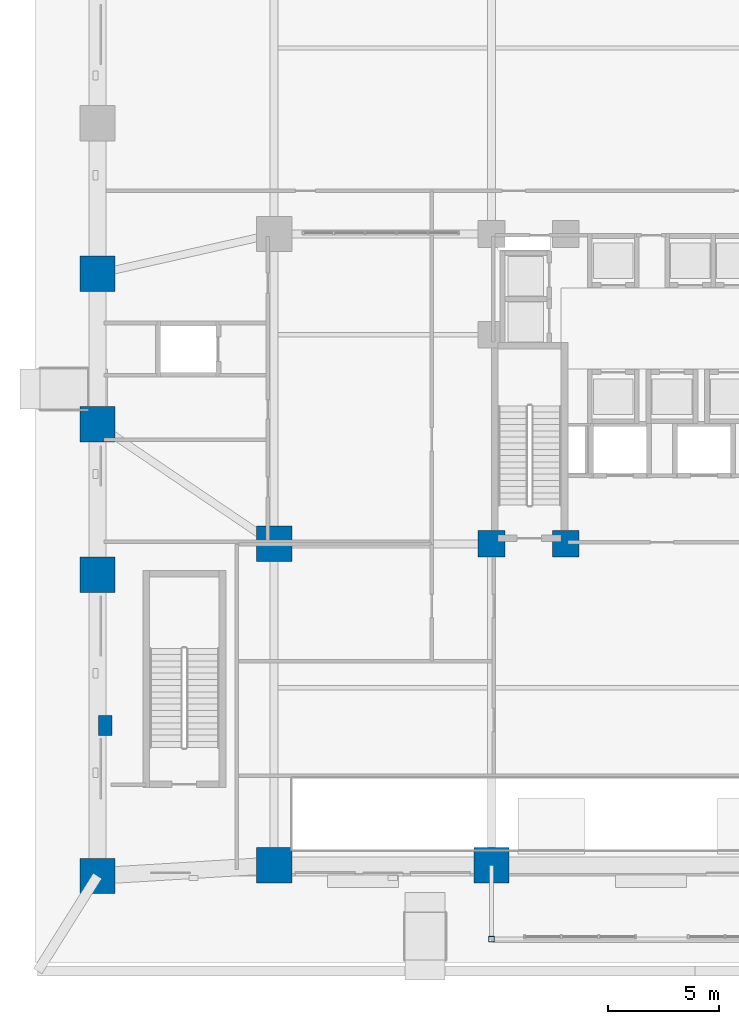
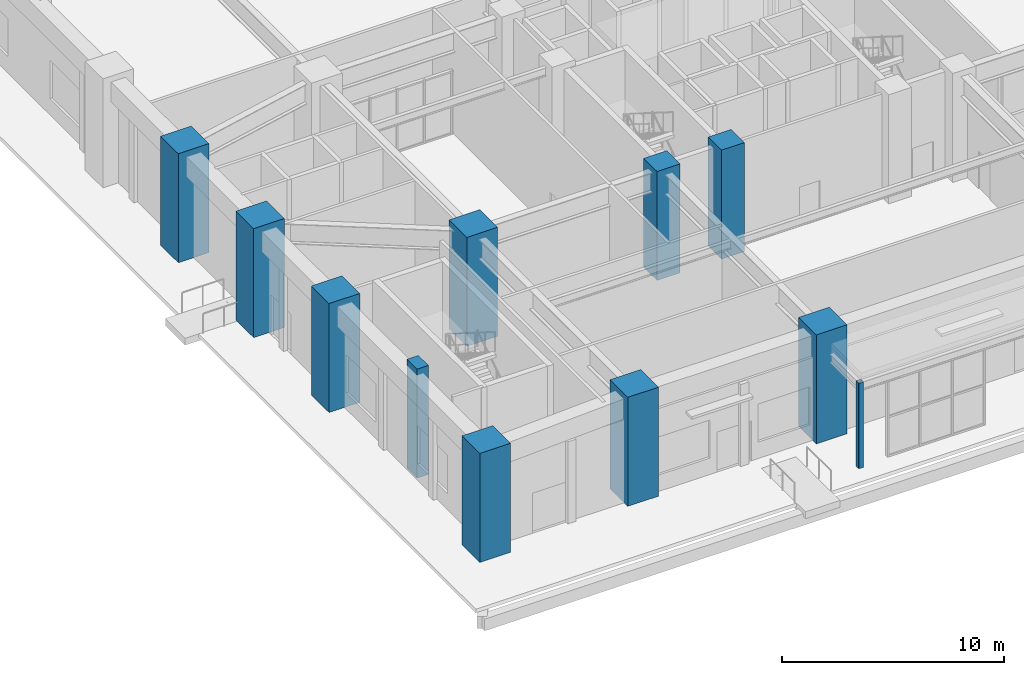
# One storey, part 1 of 24: 11 columns.
"""IFC4 building model written with IfcOpenShell, lengths in metres."""

from ifc_helpers import new_model, si_unit, derived_unit, direction, frame, origin, origin_2d, place, context, subcontext, project, spatial, rectangle, hollow_rectangle, extrude, material, material_profile, profile_set, type_object, element, save


model = new_model("IFC4")

# Units and contexts
model_context = context("Model", 3, precision=1e-05, world=origin(), true_north=direction((0.0, 1.0)))
body_context = subcontext(model_context, "Body", "Model", "MODEL_VIEW")
ifc_project = project(units=[si_unit("LENGTHUNIT", "METRE"), si_unit("AREAUNIT", "SQUARE_METRE"), si_unit("VOLUMEUNIT", "CUBIC_METRE"), si_unit("PLANEANGLEUNIT", "RADIAN"), si_unit("MASSUNIT", "GRAM", prefix="KILO"), derived_unit("THERMALTRANSMITTANCEUNIT", [(si_unit("MASSUNIT", "GRAM", prefix="KILO"), 1), (si_unit("TIMEUNIT", "SECOND"), -3), (si_unit("THERMODYNAMICTEMPERATUREUNIT", "KELVIN"), -1)])], contexts=[model_context])

# Site, building, storey
site_placement = place(None, origin())
site = spatial("IfcSite", under=ifc_project, at=site_placement, CompositionType="ELEMENT")
building_placement = place(site_placement, origin())
building = spatial("IfcBuilding", under=site, at=building_placement, Name="Korrvale Station Residences", CompositionType="ELEMENT")
storey_placement = place(building_placement, origin())
storey = spatial("IfcBuildingStorey", under=building, at=storey_placement, Name="L00", CompositionType="ELEMENT", Elevation=0.0)

# Columns
ifc_material_1 = material(Name="Steel S355", Category="steel")
ifc_material_profile_1 = material_profile(ifc_material_1, hollow_rectangle(XDim=0.25390625, YDim=0.25390625, WallThickness=0.0126953125, InnerFilletRadius=0.0126953125, OuterFilletRadius=0.025390625, at=origin_2d()), Name="HSS254x254x13")
ifc_profile_set_1 = profile_set([ifc_material_profile_1], Name="Steel S355")
column_type_1 = type_object("IfcColumnType", Name="COL-C-HSS254x254x13-S355", PredefinedType="COLUMN", material=ifc_profile_set_1)
column_1_placement = place(storey_placement, frame((17.800048828125, -2.85009765625, 0.0), z_axis=(0.0, 0.0, 1.0), x_axis=(1.0, 0.0, 0.0)))
element("IfcColumn", 1, at=column_1_placement, inside=storey, type_object=column_type_1, Name="L00 South Canopy Portal Post 1", PredefinedType="COLUMN", context=body_context, shape_type="SweptSolid", body=[
    extrude(hollow_rectangle(XDim=0.25390625, YDim=0.25390625, WallThickness=0.0126953125, InnerFilletRadius=0.0126953125, OuterFilletRadius=0.025390625, at=origin_2d()), origin(), (0.0, 0.0, 1.0), 4.699951171875),
])
ifc_material_2 = material(Name="Concrete C70/85", Category="concrete")
ifc_material_profile_2 = material_profile(ifc_material_2, rectangle(XDim=1.199951171875, YDim=1.199951171875, at=origin_2d()), Name="RC1200x1200")
ifc_profile_set_2 = profile_set([ifc_material_profile_2], Name="Concrete C70/85")
column_type_2 = type_object("IfcColumnType", Name="COL-C-RC1200x1200-C7085", PredefinedType="COLUMN", material=ifc_profile_set_2)
for number, where, z_axis, x_axis, name in (
    (2, (17.800048828125, 15.0, 0.0), (0.0, 0.0, 1.0), (1.0, 0.0, 0.0), "L00 Core Column 25"),
    (3, (21.14990234375, 15.0, 0.0), (0.0, 0.0, 1.0), (1.0, 0.0, 0.0), "L00 Core Column 26"),
):
    element("IfcColumn", number, at=place(storey_placement, frame(where, z_axis=z_axis, x_axis=x_axis)), inside=storey, type_object=column_type_2, Name=name, PredefinedType="COLUMN", context=body_context, shape_type="SweptSolid", body=[
        extrude(rectangle(XDim=1.199951171875, YDim=1.199951171875, at=origin_2d()), origin(), (0.0, 0.0, 1.0), 6.0),
    ])
ifc_material_profile_3 = material_profile(ifc_material_2, rectangle(XDim=1.60009765625, YDim=1.60009765625, at=origin_2d()), Name="RC1600x1600")
ifc_profile_set_3 = profile_set([ifc_material_profile_3], Name="Concrete C70/85")
column_type_3 = type_object("IfcColumnType", Name="COL-C-RC1600x1600-C7085", PredefinedType="COLUMN", material=ifc_profile_set_3)
for number, where, z_axis, x_axis, name in (
    (4, (0.0, 0.0, 0.0), (0.0, 0.0, 1.0), (1.0, 0.0, 0.0), "L00 Station Mega-Column 01"),
    (5, (0.0, 13.60009765625, 0.0), (0.0, 0.0, 1.0), (1.0, 0.0, 0.0), "L00 Station Mega-Column 02"),
    (6, (0.0, 20.39990234375, 0.0), (0.0, 0.0, 1.0), (1.0, 0.0, 0.0), "L00 Station Mega-Column 03"),
    (7, (0.0, 27.199951171875, 0.0), (0.0, 0.0, 1.0), (1.0, 0.0, 0.0), "L00 Station Mega-Column 04"),
    (8, (7.97998046875, 0.47998046875, 0.0), (0.0, 0.0, 1.0), (1.0, 0.0, 0.0), "L00 Station Mega-Column 13"),
    (9, (7.97998046875, 15.0, 0.0), (0.0, 0.0, 1.0), (1.0, 0.0, 0.0), "L00 Station Mega-Column 14"),
    (10, (17.800048828125, 0.47998046875, 0.0), (0.0, 0.0, 1.0), (1.0, 0.0, 0.0), "L00 Station Mega-Column 21"),
):
    element("IfcColumn", number, at=place(storey_placement, frame(where, z_axis=z_axis, x_axis=x_axis)), inside=storey, type_object=column_type_3, Name=name, PredefinedType="COLUMN", context=body_context, shape_type="SweptSolid", body=[
        extrude(rectangle(XDim=1.60009765625, YDim=1.60009765625, at=origin_2d()), origin(), (0.0, 0.0, 1.0), 6.0),
    ])
ifc_material_profile_4 = material_profile(ifc_material_2, rectangle(XDim=0.60009765625, YDim=0.89990234375, at=origin_2d()), Name="RC600x900")
ifc_profile_set_4 = profile_set([ifc_material_profile_4], Name="Concrete C70/85")
column_type_4 = type_object("IfcColumnType", Name="COL-PIL-RC600x900-C7085", PredefinedType="PILASTER", material=ifc_profile_set_4)
column_2_placement = place(storey_placement, frame((0.35009765625, 6.800048828125, 0.0), z_axis=(0.0, 0.0, 1.0), x_axis=(1.0, 0.0, 0.0)))
element("IfcColumn", 11, at=column_2_placement, inside=storey, type_object=column_type_4, Name="L00 Concourse Portal Wall Pilaster 1", PredefinedType="PILASTER", context=body_context, shape_type="SweptSolid", body=[
    extrude(rectangle(XDim=0.60009765625, YDim=0.89990234375, at=origin_2d()), origin(), (0.0, 0.0, 1.0), 6.0),
])

save(model, "model.ifc")
